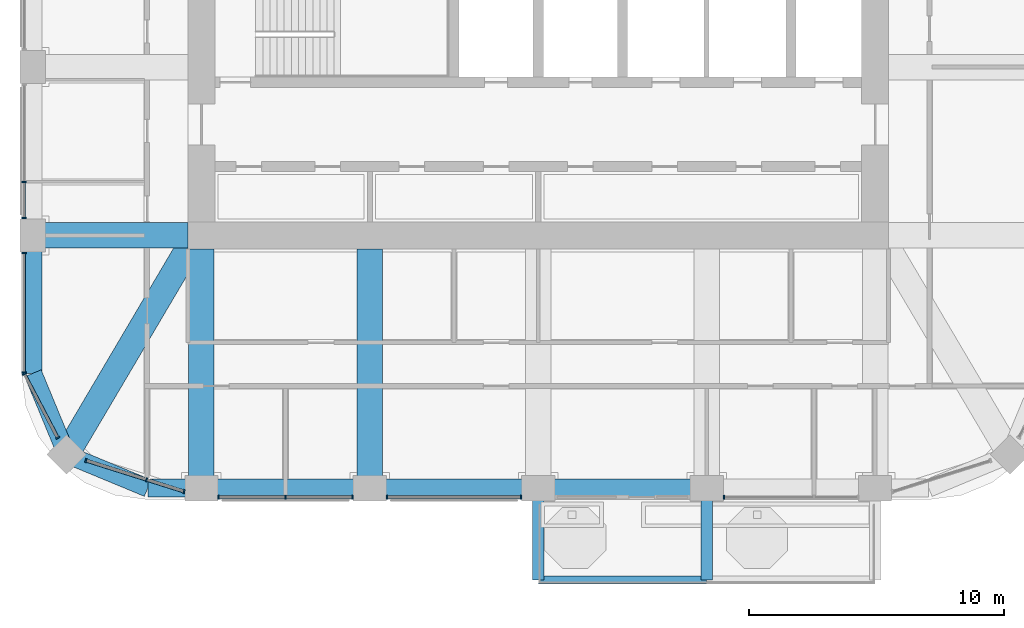
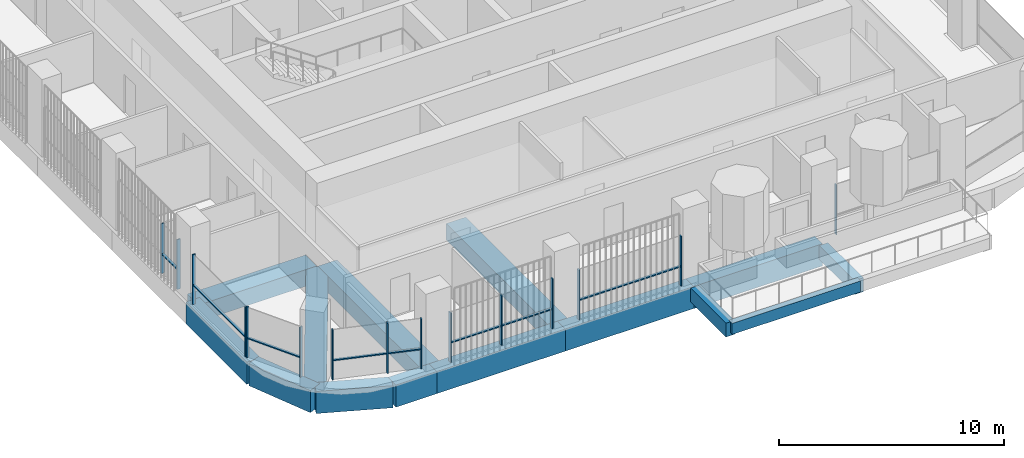
# One storey, part 2 of 20: 23 members, 14 beams, 7 elements without a shape of their own.
"""IFC4 building model written with IfcOpenShell, lengths in metres."""

from ifc_helpers import new_model, si_unit, direction, frame, origin, origin_2d, place, context, subcontext, project, spatial, rectangle, extrude, material, material_profile, profile_set, type_object, element, aggregate, save


model = new_model("IFC4")

# Units and contexts
model_context = context("Model", 3, precision=1e-05, world=origin(), true_north=direction((0.0, 1.0)))
body_context = subcontext(model_context, "Body", "Model", "MODEL_VIEW")
ifc_project = project(units=[si_unit("LENGTHUNIT", "METRE"), si_unit("AREAUNIT", "SQUARE_METRE"), si_unit("VOLUMEUNIT", "CUBIC_METRE"), si_unit("PLANEANGLEUNIT", "RADIAN"), si_unit("MASSUNIT", "GRAM", prefix="KILO")], contexts=[model_context])

# Site, building, storey
site_placement = place(None, origin())
site = spatial("IfcSite", under=ifc_project, at=site_placement, CompositionType="ELEMENT")
building_placement = place(site_placement, origin())
building = spatial("IfcBuilding", under=site, at=building_placement, Name="Cobogo Forest Laboratory Tower", CompositionType="ELEMENT")
storey_placement = place(building_placement, frame((0.0, 0.0, 233.39990234375)))
storey = spatial("IfcBuildingStorey", under=building, at=storey_placement, Name="L53", CompositionType="ELEMENT", Elevation=233.39990234375)

# Beams
ifc_material_1 = material(Name="Concrete HA-40 (C40/50)", Category="concrete")
ifc_material_profile_1 = material_profile(ifc_material_1, rectangle(XDim=0.449951171875, YDim=0.75, at=origin_2d()), Name="RC 450x750")
ifc_profile_set_1 = profile_set([ifc_material_profile_1], Name="Concrete HA-40 (C40/50)")
beam_type_1 = type_object("IfcBeamType", Name="Balcony cantilever beam 450x750", PredefinedType="BEAM", material=ifc_profile_set_1)
for number, where, z_axis, x_axis, name in (
    (1, (26.39990234375, 2.85009765625, -0.625), (0.0, -1.0, 0.0), (1.0, 0.0, 0.0), "CB1 BAL-S1-C1 L53"),
    (2, (33.0, 2.85009765625, -0.625), (0.0, -1.0, 0.0), (1.0, 0.0, 0.0), "CB1 BAL-S1-C2 L53"),
):
    element("IfcBeam", number, at=place(storey_placement, frame(where, z_axis=z_axis, x_axis=x_axis)), inside=storey, type_object=beam_type_1, Name=name, PredefinedType="BEAM", context=body_context, shape_type="SweptSolid", body=[
        extrude(rectangle(XDim=0.449951171875, YDim=0.75, at=origin_2d()), origin(), (0.0, 0.0, 1.0), 3.150146484375),
    ])
ifc_material_profile_2 = material_profile(ifc_material_1, rectangle(XDim=0.300048828125, YDim=0.60009765625, at=origin_2d()), Name="RC 300x600")
ifc_profile_set_2 = profile_set([ifc_material_profile_2], Name="Concrete HA-40 (C40/50)")
beam_type_2 = type_object("IfcBeamType", Name="Balcony edge beam 300x600", PredefinedType="BEAM", material=ifc_profile_set_2)
beam_1_placement = place(storey_placement, frame((26.39990234375, -0.300048828125, -0.5498046875), z_axis=(1.0, 0.0, 0.0), x_axis=(0.0, 1.0, 0.0)))
element("IfcBeam", 3, at=beam_1_placement, inside=storey, type_object=beam_type_2, Name="BB1 BAL-S1-T1 L53", PredefinedType="BEAM", context=body_context, shape_type="SweptSolid", body=[
    extrude(rectangle(XDim=0.300048828125, YDim=0.60009765625, at=origin_2d()), origin(), (0.0, 0.0, 1.0), 6.60009765625),
])

# Curtain wall, members
ifc_material_2 = material(Name="Aluminium curtain wall", Category="aluminium")
curtain_wall_type = type_object("IfcCurtainWallType", Name="CW-2 unitised curtain wall, solar control glazing, laboratory floors zones C and D", PredefinedType="USERDEFINED", material=ifc_material_2)
curtain_wall_1_placement = place(storey_placement, origin())
curtain_wall_1 = element("IfcCurtainWall", 4, at=curtain_wall_1_placement, inside=storey, type_object=curtain_wall_type, Name="Curtain wall 01 L53", ObjectType="UNITISED CURTAIN WALL", PredefinedType="USERDEFINED")
ifc_material_3 = material(Name="Aluminium mullion", Category="aluminium")
ifc_material_profile_3 = material_profile(ifc_material_3, rectangle(XDim=0.06005859375, YDim=0.159912109375, at=origin_2d()), Name="AL 60x160")
ifc_profile_set_3 = profile_set([ifc_material_profile_3], Name="Aluminium mullion")
member_type_1 = type_object("IfcMemberType", Name="MU-1 aluminium mullion 60x160", PredefinedType="MULLION", material=ifc_profile_set_3)
member_1_placement = place(storey_placement, frame((13.8798828125, 2.949951171875, 0.0), z_axis=(0.0, 0.0, 1.0), x_axis=(1.0, 0.0, 0.0)))
member_1 = element("IfcMember", 5, at=member_1_placement, type_object=member_type_1, Name="CW-2 mullion 1", PredefinedType="MULLION", context=body_context, shape_type="SweptSolid", body=[
    extrude(rectangle(XDim=0.06005859375, YDim=0.159912109375, at=origin_2d()), origin(), (0.0, 0.0, 1.0), 2.7001953125),
])
member_2_placement = place(storey_placement, frame((16.5, 2.949951171875, 0.0), z_axis=(0.0, 0.0, 1.0), x_axis=(1.0, 0.0, 0.0)))
member_2 = element("IfcMember", 6, at=member_2_placement, type_object=member_type_1, Name="CW-2 mullion 2", PredefinedType="MULLION", context=body_context, shape_type="SweptSolid", body=[
    extrude(rectangle(XDim=0.06005859375, YDim=0.159912109375, at=origin_2d()), origin(), (0.0, 0.0, 1.0), 2.7001953125),
])
member_3_placement = place(storey_placement, frame((19.1201171875, 2.949951171875, 0.0), z_axis=(0.0, 0.0, 1.0), x_axis=(1.0, 0.0, 0.0)))
member_3 = element("IfcMember", 7, at=member_3_placement, type_object=member_type_1, Name="CW-2 mullion 3", PredefinedType="MULLION", context=body_context, shape_type="SweptSolid", body=[
    extrude(rectangle(XDim=0.06005859375, YDim=0.159912109375, at=origin_2d()), origin(), (0.0, 0.0, 1.0), 2.7001953125),
])

curtain_wall_2_placement = place(storey_placement, origin())
curtain_wall_2 = element("IfcCurtainWall", 8, at=curtain_wall_2_placement, inside=storey, type_object=curtain_wall_type, Name="Curtain wall 02 L53", ObjectType="UNITISED CURTAIN WALL", PredefinedType="USERDEFINED")
member_4_placement = place(storey_placement, frame((20.47998046875, 2.949951171875, 0.0), z_axis=(0.0, 0.0, 1.0), x_axis=(1.0, 0.0, 0.0)))
member_4 = element("IfcMember", 9, at=member_4_placement, type_object=member_type_1, Name="CW-2 mullion 1", PredefinedType="MULLION", context=body_context, shape_type="SweptSolid", body=[
    extrude(rectangle(XDim=0.06005859375, YDim=0.159912109375, at=origin_2d()), origin(), (0.0, 0.0, 1.0), 2.7001953125),
])
member_5_placement = place(storey_placement, frame((25.719970703125, 2.949951171875, 0.0), z_axis=(0.0, 0.0, 1.0), x_axis=(1.0, 0.0, 0.0)))
member_5 = element("IfcMember", 10, at=member_5_placement, type_object=member_type_1, Name="CW-2 mullion 2", PredefinedType="MULLION", context=body_context, shape_type="SweptSolid", body=[
    extrude(rectangle(XDim=0.06005859375, YDim=0.159912109375, at=origin_2d()), origin(), (0.0, 0.0, 1.0), 2.7001953125),
])

# Curtain wall, member
curtain_wall_3_placement = place(storey_placement, origin())
curtain_wall_3 = element("IfcCurtainWall", 11, at=curtain_wall_3_placement, inside=storey, type_object=curtain_wall_type, Name="Curtain wall 04 L53", ObjectType="UNITISED CURTAIN WALL", PredefinedType="USERDEFINED")
member_6_placement = place(storey_placement, frame((33.679931640625, 2.949951171875, 0.0), z_axis=(0.0, 0.0, 1.0), x_axis=(1.0, 0.0, 0.0)))
member_6 = element("IfcMember", 12, at=member_6_placement, type_object=member_type_1, Name="CW-2 mullion 1", PredefinedType="MULLION", context=body_context, shape_type="SweptSolid", body=[
    extrude(rectangle(XDim=0.06005859375, YDim=0.159912109375, at=origin_2d()), origin(), (0.0, 0.0, 1.0), 2.7001953125),
])
aggregate(curtain_wall_3, [member_6])

# Curtain wall, members
curtain_wall_4_placement = place(storey_placement, origin())
curtain_wall_4 = element("IfcCurtainWall", 13, at=curtain_wall_4_placement, inside=storey, type_object=curtain_wall_type, Name="Curtain wall 23 L53", ObjectType="UNITISED CURTAIN WALL", PredefinedType="USERDEFINED")
member_7_placement = place(storey_placement, frame((6.25, 15.300048828125, 0.0), z_axis=(0.0, 0.0, 1.0), x_axis=(0.0, -1.0, 0.0)))
member_7 = element("IfcMember", 14, at=member_7_placement, type_object=member_type_1, Name="CW-2 mullion 2", PredefinedType="MULLION", context=body_context, shape_type="SweptSolid", body=[
    extrude(rectangle(XDim=0.06005859375, YDim=0.159912109375, at=origin_2d()), origin(), (0.0, 0.0, 1.0), 2.7001953125),
])
member_8_placement = place(storey_placement, frame((6.25, 13.8798828125, 0.0), z_axis=(0.0, 0.0, 1.0), x_axis=(0.0, -1.0, 0.0)))
member_8 = element("IfcMember", 15, at=member_8_placement, type_object=member_type_1, Name="CW-2 mullion 3", PredefinedType="MULLION", context=body_context, shape_type="SweptSolid", body=[
    extrude(rectangle(XDim=0.06005859375, YDim=0.159912109375, at=origin_2d()), origin(), (0.0, 0.0, 1.0), 2.7001953125),
])

curtain_wall_5_placement = place(storey_placement, origin())
curtain_wall_5 = element("IfcCurtainWall", 16, at=curtain_wall_5_placement, inside=storey, type_object=curtain_wall_type, Name="Curtain wall 24 L53", ObjectType="UNITISED CURTAIN WALL", PredefinedType="USERDEFINED")
member_9_placement = place(storey_placement, frame((6.25, 12.52001953125, 0.0), z_axis=(0.0, 0.0, 1.0), x_axis=(0.0, -1.0, 0.0)))
member_9 = element("IfcMember", 17, at=member_9_placement, type_object=member_type_1, Name="CW-2 mullion 1", PredefinedType="MULLION", context=body_context, shape_type="SweptSolid", body=[
    extrude(rectangle(XDim=0.06005859375, YDim=0.159912109375, at=origin_2d()), origin(), (0.0, 0.0, 1.0), 2.7001953125),
])
member_10_placement = place(storey_placement, frame((6.25, 7.830078125, 0.0), z_axis=(0.0, 0.0, 1.0), x_axis=(0.0, -1.0, 0.0)))
member_10 = element("IfcMember", 18, at=member_10_placement, type_object=member_type_1, Name="CW-2 mullion 2", PredefinedType="MULLION", context=body_context, shape_type="SweptSolid", body=[
    extrude(rectangle(XDim=0.06005859375, YDim=0.159912109375, at=origin_2d()), origin(), (0.0, 0.0, 1.0), 2.7001953125),
])

curtain_wall_6_placement = place(storey_placement, origin())
curtain_wall_6 = element("IfcCurtainWall", 19, at=curtain_wall_6_placement, inside=storey, type_object=curtain_wall_type, Name="Curtain wall 25 L53", ObjectType="UNITISED CURTAIN WALL", PredefinedType="USERDEFINED")
member_11_placement = place(storey_placement, frame((6.263916015625, 7.7734375, 0.0), z_axis=(0.0, 0.0, 1.0), x_axis=(0.464283804832, -0.885686484356, 0.0)))
member_11 = element("IfcMember", 20, at=member_11_placement, type_object=member_type_1, Name="CW-2 mullion 1", PredefinedType="MULLION", context=body_context, shape_type="SweptSolid", body=[
    extrude(rectangle(XDim=0.06005859375, YDim=0.159912109375, at=origin_2d()), origin(), (0.0, 0.0, 1.0), 2.7001953125),
])
member_12_placement = place(storey_placement, frame((7.5732421875, 5.275634765625, 0.0), z_axis=(0.0, 0.0, 1.0), x_axis=(0.464283804832, -0.885686484356, 0.0)))
member_12 = element("IfcMember", 21, at=member_12_placement, type_object=member_type_1, Name="CW-2 mullion 2", PredefinedType="MULLION", context=body_context, shape_type="SweptSolid", body=[
    extrude(rectangle(XDim=0.06005859375, YDim=0.159912109375, at=origin_2d()), origin(), (0.0, 0.0, 1.0), 2.7001953125),
])

curtain_wall_7_placement = place(storey_placement, origin())
curtain_wall_7 = element("IfcCurtainWall", 22, at=curtain_wall_7_placement, inside=storey, type_object=curtain_wall_type, Name="Curtain wall 26 L53", ObjectType="UNITISED CURTAIN WALL", PredefinedType="USERDEFINED")
member_13_placement = place(storey_placement, frame((8.677490234375, 4.378173828125, 0.0), z_axis=(0.0, 0.0, 1.0), x_axis=(0.953581331491, -0.301135591107, 0.0)))
member_13 = element("IfcMember", 23, at=member_13_placement, type_object=member_type_1, Name="CW-2 mullion 1", PredefinedType="MULLION", context=body_context, shape_type="SweptSolid", body=[
    extrude(rectangle(XDim=0.06005859375, YDim=0.159912109375, at=origin_2d()), origin(), (0.0, 0.0, 1.0), 2.7001953125),
])
member_14_placement = place(storey_placement, frame((11.051025390625, 3.628662109375, 0.0), z_axis=(0.0, 0.0, 1.0), x_axis=(0.953581331491, -0.301135591107, 0.0)))
member_14 = element("IfcMember", 24, at=member_14_placement, type_object=member_type_1, Name="CW-2 mullion 2", PredefinedType="MULLION", context=body_context, shape_type="SweptSolid", body=[
    extrude(rectangle(XDim=0.06005859375, YDim=0.159912109375, at=origin_2d()), origin(), (0.0, 0.0, 1.0), 2.7001953125),
])
member_15_placement = place(storey_placement, frame((12.521484375, 3.164306640625, 0.0), z_axis=(0.0, 0.0, 1.0), x_axis=(0.953581331491, -0.301135591107, 0.0)))
member_15 = element("IfcMember", 25, at=member_15_placement, type_object=member_type_1, Name="CW-2 mullion 3", PredefinedType="MULLION", context=body_context, shape_type="SweptSolid", body=[
    extrude(rectangle(XDim=0.06005859375, YDim=0.159912109375, at=origin_2d()), origin(), (0.0, 0.0, 1.0), 2.7001953125),
])

# Beams
ifc_material_profile_4 = material_profile(ifc_material_1, rectangle(XDim=1.0, YDim=0.89990234375, at=origin_2d()), Name="RC 1000x900")
ifc_profile_set_4 = profile_set([ifc_material_profile_4], Name="Concrete HA-40 (C40/50)")
beam_type_3 = type_object("IfcBeamType", Name="Office floor wide beam 1000x900", PredefinedType="BEAM", material=ifc_profile_set_4)
for number, where, z_axis, x_axis, name in (
    (26, (13.199951171875, 12.675048828125, -0.75), (0.0, -1.0, 0.0), (1.0, 0.0, 0.0), "RB2 R-3-S L53"),
    (27, (19.800048828125, 12.675048828125, -0.75), (0.0, -1.0, 0.0), (1.0, 0.0, 0.0), "RB2 R-4-S L53"),
):
    element("IfcBeam", number, at=place(storey_placement, frame(where, z_axis=z_axis, x_axis=x_axis)), inside=storey, type_object=beam_type_3, Name=name, PredefinedType="BEAM", context=body_context, shape_type="SweptSolid", body=[
        extrude(rectangle(XDim=1.0, YDim=0.89990234375, at=origin_2d()), origin(), (0.0, 0.0, 1.0), 9.375),
    ])
beam_2_placement = place(storey_placement, frame((12.675048828125, 13.199951171875, -0.75), z_axis=(-1.0, 0.0, 0.0), x_axis=(0.0, -1.0, 0.0)))
element("IfcBeam", 28, at=beam_2_placement, inside=storey, type_object=beam_type_3, Name="RB2 R-C-W L53", PredefinedType="BEAM", context=body_context, shape_type="SweptSolid", body=[
    extrude(rectangle(XDim=1.0, YDim=0.89990234375, at=origin_2d()), origin(), (0.0, 0.0, 1.0), 6.074951171875),
])
beam_3_placement = place(storey_placement, frame((7.91796875, 4.617919921875, -0.75), z_axis=(0.508416325908, 0.861111397875, 0.0), x_axis=(-0.861111397875, 0.508416325908, 0.0)))
element("IfcBeam", 29, at=beam_3_placement, inside=storey, type_object=beam_type_3, Name="RB2 G-SW-D1 L53", PredefinedType="BEAM", context=body_context, shape_type="SweptSolid", body=[
    extrude(rectangle(XDim=1.0, YDim=0.89990234375, at=origin_2d()), origin(), (0.0, 0.0, 1.0), 9.356689453125),
])
ifc_material_profile_5 = material_profile(ifc_material_1, rectangle(XDim=0.699951171875, YDim=1.199951171875, at=origin_2d()), Name="RC 700x1200")
ifc_profile_set_5 = profile_set([ifc_material_profile_5], Name="Concrete HA-40 (C40/50)")
beam_type_4 = type_object("IfcBeamType", Name="Perimeter edge beam 700x1200", PredefinedType="BEAM", material=ifc_profile_set_5)
beam_4_placement = place(storey_placement, frame((13.199951171875, 3.300048828125, -0.89990234375), z_axis=(1.0, 0.0, 0.0), x_axis=(0.0, 1.0, 0.0)))
element("IfcBeam", 30, at=beam_4_placement, inside=storey, type_object=beam_type_4, Name="EB1 E-S1 L53", PredefinedType="BEAM", context=body_context, shape_type="SweptSolid", body=[
    extrude(rectangle(XDim=0.699951171875, YDim=1.199951171875, at=origin_2d()), origin(), (0.0, 0.0, 1.0), 6.60009765625),
])
beam_5_placement = place(storey_placement, frame((19.800048828125, 3.300048828125, -0.89990234375), z_axis=(1.0, 0.0, 0.0), x_axis=(0.0, 1.0, 0.0)))
element("IfcBeam", 31, at=beam_5_placement, inside=storey, type_object=beam_type_4, Name="EB1 E-S2 L53", PredefinedType="BEAM", context=body_context, shape_type="SweptSolid", body=[
    extrude(rectangle(XDim=0.699951171875, YDim=1.199951171875, at=origin_2d()), origin(), (0.0, 0.0, 1.0), 6.599853515625),
])
beam_6_placement = place(storey_placement, frame((26.39990234375, 3.300048828125, -0.89990234375), z_axis=(1.0, 0.0, 0.0), x_axis=(0.0, 1.0, 0.0)))
element("IfcBeam", 32, at=beam_6_placement, inside=storey, type_object=beam_type_4, Name="EB1 E-S3 L53", PredefinedType="BEAM", context=body_context, shape_type="SweptSolid", body=[
    extrude(rectangle(XDim=0.699951171875, YDim=1.199951171875, at=origin_2d()), origin(), (0.0, 0.0, 1.0), 6.60009765625),
])
beam_7_placement = place(storey_placement, frame((13.199951171875, 3.300048828125, -0.89990234375), z_axis=(-1.0, 0.0, 0.0), x_axis=(0.0, -1.0, 0.0)))
element("IfcBeam", 33, at=beam_7_placement, inside=storey, type_object=beam_type_4, Name="EB1 E-SWS1 L53", PredefinedType="BEAM", context=body_context, shape_type="SweptSolid", body=[
    extrude(rectangle(XDim=0.699951171875, YDim=1.199951171875, at=origin_2d()), origin(), (0.0, 0.0, 1.0), 2.099853515625),
])
beam_8_placement = place(storey_placement, frame((11.10009765625, 3.300048828125, -0.89990234375), z_axis=(-0.923901072997, 0.382631424892, 0.0), x_axis=(-0.382631424892, -0.923901072997, 0.0)))
element("IfcBeam", 34, at=beam_8_placement, inside=storey, type_object=beam_type_4, Name="EB1 E-SWS2 L53", PredefinedType="BEAM", context=body_context, shape_type="SweptSolid", body=[
    extrude(rectangle(XDim=0.699951171875, YDim=1.199951171875, at=origin_2d()), origin(), (0.0, 0.0, 1.0), 3.4443359375),
])
beam_9_placement = place(storey_placement, frame((6.60009765625, 13.199951171875, -0.89990234375), z_axis=(0.0, -1.0, 0.0), x_axis=(1.0, 0.0, 0.0)))
element("IfcBeam", 35, at=beam_9_placement, inside=storey, type_object=beam_type_4, Name="EB1 E-SWW1 L53", PredefinedType="BEAM", context=body_context, shape_type="SweptSolid", body=[
    extrude(rectangle(XDim=0.699951171875, YDim=1.199951171875, at=origin_2d()), origin(), (0.0, 0.0, 1.0), 5.39990234375),
])
beam_10_placement = place(storey_placement, frame((6.60009765625, 7.800048828125, -0.89990234375), z_axis=(0.382631424892, -0.923901072997, 0.0), x_axis=(0.923901072997, 0.382631424892, 0.0)))
element("IfcBeam", 36, at=beam_10_placement, inside=storey, type_object=beam_type_4, Name="EB1 E-SWW2 L53", PredefinedType="BEAM", context=body_context, shape_type="SweptSolid", body=[
    extrude(rectangle(XDim=0.699951171875, YDim=1.199951171875, at=origin_2d()), origin(), (0.0, 0.0, 1.0), 3.4443359375),
])

# Member
ifc_material_4 = material(Name="Aluminium transom", Category="aluminium")
ifc_material_profile_6 = material_profile(ifc_material_4, rectangle(XDim=0.1201171875, YDim=0.06005859375, at=origin_2d()), Name="AL 60x120")
ifc_profile_set_6 = profile_set([ifc_material_profile_6], Name="Aluminium transom")
member_type_2 = type_object("IfcMemberType", Name="TR-1 aluminium transom 60x120", PredefinedType="USERDEFINED", material=ifc_profile_set_6)
member_16_placement = place(storey_placement, frame((13.909912109375, 2.949951171875, 1.050048828125), z_axis=(1.0, 0.0, 0.0), x_axis=(0.0, 1.0, 0.0)))
member_16 = element("IfcMember", 37, at=member_16_placement, type_object=member_type_2, Name="CW-2 transom 1.1", ObjectType="TRANSOM", PredefinedType="USERDEFINED", context=body_context, shape_type="SweptSolid", body=[
    extrude(rectangle(XDim=0.1201171875, YDim=0.06005859375, at=origin_2d()), origin(), (0.0, 0.0, 1.0), 2.56005859375),
])

member_17_placement = place(storey_placement, frame((16.530029296875, 2.949951171875, 1.050048828125), z_axis=(1.0, 0.0, 0.0), x_axis=(0.0, 1.0, 0.0)))
member_17 = element("IfcMember", 38, at=member_17_placement, type_object=member_type_2, Name="CW-2 transom 2.1", ObjectType="TRANSOM", PredefinedType="USERDEFINED", context=body_context, shape_type="SweptSolid", body=[
    extrude(rectangle(XDim=0.1201171875, YDim=0.06005859375, at=origin_2d()), origin(), (0.0, 0.0, 1.0), 2.56005859375),
])

aggregate(curtain_wall_1, [member_1, member_2, member_3, member_16, member_17])

member_18_placement = place(storey_placement, frame((20.510009765625, 2.949951171875, 1.050048828125), z_axis=(1.0, 0.0, 0.0), x_axis=(0.0, 1.0, 0.0)))
member_18 = element("IfcMember", 39, at=member_18_placement, type_object=member_type_2, Name="CW-2 transom 1.1", ObjectType="TRANSOM", PredefinedType="USERDEFINED", context=body_context, shape_type="SweptSolid", body=[
    extrude(rectangle(XDim=0.1201171875, YDim=0.06005859375, at=origin_2d()), origin(), (0.0, 0.0, 1.0), 5.179931640625),
])

aggregate(curtain_wall_2, [member_4, member_5, member_18])

member_19_placement = place(storey_placement, frame((6.25, 15.27001953125, 1.050048828125), z_axis=(0.0, -1.0, 0.0), x_axis=(1.0, 0.0, 0.0)))
member_19 = element("IfcMember", 40, at=member_19_placement, type_object=member_type_2, Name="CW-2 transom 2.1", ObjectType="TRANSOM", PredefinedType="USERDEFINED", context=body_context, shape_type="SweptSolid", body=[
    extrude(rectangle(XDim=0.1201171875, YDim=0.06005859375, at=origin_2d()), origin(), (0.0, 0.0, 1.0), 1.360107421875),
])

aggregate(curtain_wall_4, [member_7, member_8, member_19])

member_20_placement = place(storey_placement, frame((6.25, 12.489990234375, 1.050048828125), z_axis=(0.0, -1.0, 0.0), x_axis=(1.0, 0.0, 0.0)))
member_20 = element("IfcMember", 41, at=member_20_placement, type_object=member_type_2, Name="CW-2 transom 1.1", ObjectType="TRANSOM", PredefinedType="USERDEFINED", context=body_context, shape_type="SweptSolid", body=[
    extrude(rectangle(XDim=0.1201171875, YDim=0.06005859375, at=origin_2d()), origin(), (0.0, 0.0, 1.0), 4.6298828125),
])

aggregate(curtain_wall_5, [member_9, member_10, member_20])

member_21_placement = place(storey_placement, frame((6.27783203125, 7.746826171875, 1.050048828125), z_axis=(0.464254846591, -0.88570166389, 0.0), x_axis=(0.88570166389, 0.464254846591, 0.0)))
member_21 = element("IfcMember", 42, at=member_21_placement, type_object=member_type_2, Name="CW-2 transom 1.1", ObjectType="TRANSOM", PredefinedType="USERDEFINED", context=body_context, shape_type="SweptSolid", body=[
    extrude(rectangle(XDim=0.1201171875, YDim=0.06005859375, at=origin_2d()), origin(), (0.0, 0.0, 1.0), 2.76025390625),
])

aggregate(curtain_wall_6, [member_11, member_12, member_21])

member_22_placement = place(storey_placement, frame((8.7060546875, 4.369140625, 1.050048828125), z_axis=(0.953579626869, -0.301140988943, 0.0), x_axis=(0.301140988943, 0.953579626869, 0.0)))
member_22 = element("IfcMember", 43, at=member_22_placement, type_object=member_type_2, Name="CW-2 transom 1.1", ObjectType="TRANSOM", PredefinedType="USERDEFINED", context=body_context, shape_type="SweptSolid", body=[
    extrude(rectangle(XDim=0.1201171875, YDim=0.06005859375, at=origin_2d()), origin(), (0.0, 0.0, 1.0), 2.428955078125),
])

member_23_placement = place(storey_placement, frame((11.07958984375, 3.61962890625, 1.050048828125), z_axis=(0.953572704918, -0.301162906805, 0.0), x_axis=(0.301162906805, 0.953572704918, 0.0)))
member_23 = element("IfcMember", 44, at=member_23_placement, type_object=member_type_2, Name="CW-2 transom 2.1", ObjectType="TRANSOM", PredefinedType="USERDEFINED", context=body_context, shape_type="SweptSolid", body=[
    extrude(rectangle(XDim=0.1201171875, YDim=0.06005859375, at=origin_2d()), origin(), (0.0, 0.0, 1.0), 1.48193359375),
])

aggregate(curtain_wall_7, [member_13, member_14, member_15, member_22, member_23])

save(model, "model.ifc")
